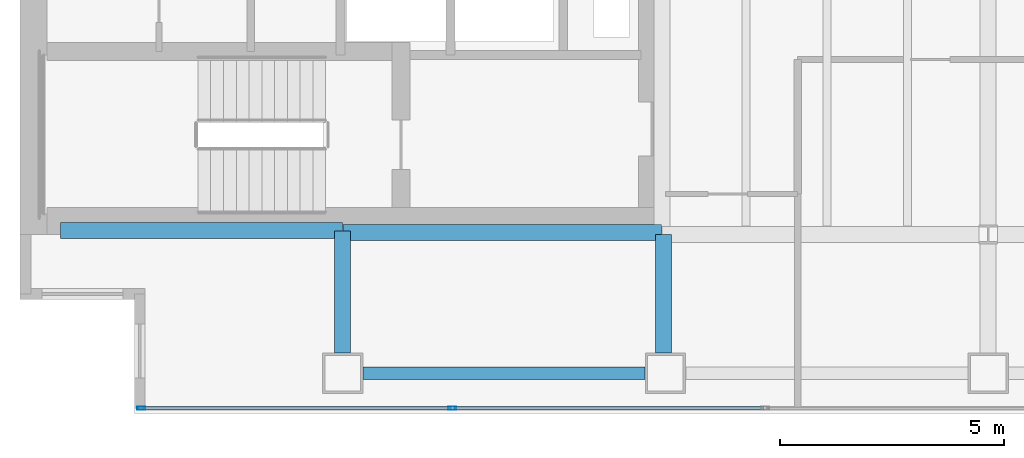
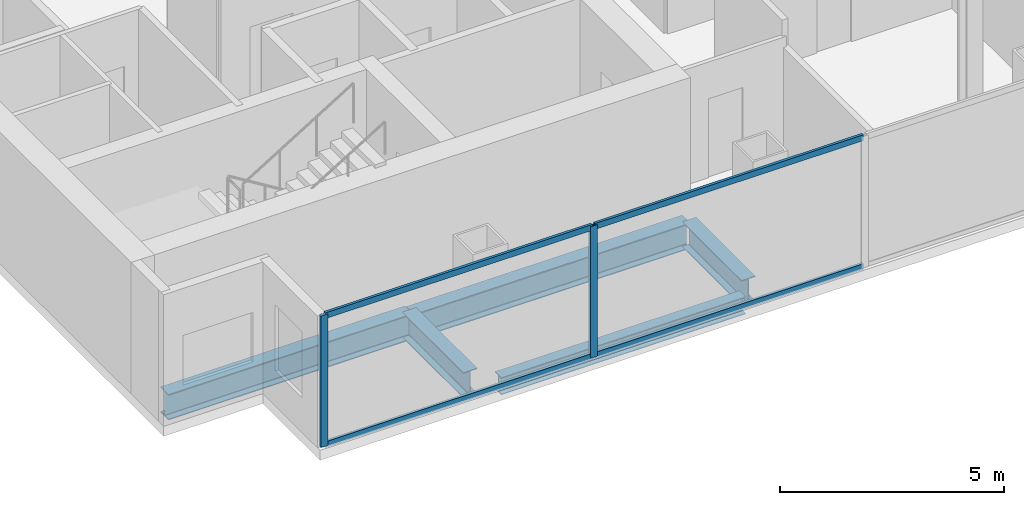
# One storey, part 2 of 24: 6 members, 5 beams, 1 element without a shape of its own.
"""IFC4 building model written with IfcOpenShell, lengths in metres."""

from ifc_helpers import new_model, si_unit, direction, frame, origin, origin_2d, place, context, subcontext, project, spatial, hollow_rectangle, i_section, extrude, material, material_profile, profile_set, type_object, element, aggregate, save


model = new_model("IFC4")

# Units and contexts
model_context = context("Model", 3, precision=1e-05, world=origin(), true_north=direction((0.0, 1.0)))
body_context = subcontext(model_context, "Body", "Model", "MODEL_VIEW")
ifc_project = project(units=[si_unit("LENGTHUNIT", "METRE"), si_unit("AREAUNIT", "SQUARE_METRE"), si_unit("VOLUMEUNIT", "CUBIC_METRE"), si_unit("PLANEANGLEUNIT", "RADIAN"), si_unit("MASSUNIT", "GRAM", prefix="KILO")], contexts=[model_context])

# Site, building, storey
site_placement = place(None, origin())
site = spatial("IfcSite", under=ifc_project, at=site_placement, CompositionType="ELEMENT")
building_placement = place(site_placement, origin())
building = spatial("IfcBuilding", under=site, at=building_placement, Name="Cobrela Telecom Tower", CompositionType="ELEMENT")
storey_placement = place(building_placement, frame((0.0, 0.0, 136.85009765625)))
storey = spatial("IfcBuildingStorey", under=building, at=storey_placement, Name="L34", CompositionType="ELEMENT", Elevation=136.85009765625)

# Beams
ifc_material_1 = material(Name="Steel ASTM A992 Grade 50", Category="steel")
ifc_material_profile_1 = material_profile(ifc_material_1, i_section(OverallWidth=0.35595703125, OverallDepth=0.696044921875, WebThickness=0.015380859375, FlangeThickness=0.024658203125, FilletRadius=0.01806640625, at=origin_2d()), Name="W27X146")
ifc_profile_set_1 = profile_set([ifc_material_profile_1], Name="Steel ASTM A992 Grade 50")
beam_type_1 = type_object("IfcBeamType", Name="BM-GIRD-05", PredefinedType="USERDEFINED", material=ifc_profile_set_1)
beam_1_placement = place(storey_placement, frame((0.905029296875, 7.280029296875, -0.6181640625), z_axis=(1.0, 0.0, 0.0), x_axis=(0.0, 1.0, 0.0)))
element("IfcBeam", 1, at=beam_1_placement, inside=storey, type_object=beam_type_1, Name="L34 Primary Girder X06", ObjectType="GIRDER", PredefinedType="USERDEFINED", context=body_context, shape_type="SweptSolid", body=[
    extrude(i_section(OverallWidth=0.35595703125, OverallDepth=0.696044921875, WebThickness=0.015380859375, FlangeThickness=0.024658203125, FilletRadius=0.01806640625, at=origin_2d()), origin(), (0.0, 0.0, 1.0), 6.2900390625),
])
beam_2_placement = place(storey_placement, frame((7.205078125, 7.239990234375, -0.6181640625), z_axis=(1.0, 0.0, 0.0), x_axis=(0.0, 1.0, 0.0)))
element("IfcBeam", 2, at=beam_2_placement, inside=storey, type_object=beam_type_1, Name="L34 Primary Girder X07", ObjectType="GIRDER", PredefinedType="USERDEFINED", context=body_context, shape_type="SweptSolid", body=[
    extrude(i_section(OverallWidth=0.35595703125, OverallDepth=0.696044921875, WebThickness=0.015380859375, FlangeThickness=0.024658203125, FilletRadius=0.01806640625, at=origin_2d()), origin(), (0.0, 0.0, 1.0), 7.10986328125),
])
beam_3_placement = place(storey_placement, frame((7.199951171875, 4.554931640625, -0.6181640625), z_axis=(0.0, 1.0, 0.0), x_axis=(-1.0, 0.0, 0.0)))
element("IfcBeam", 3, at=beam_3_placement, inside=storey, type_object=beam_type_1, Name="L34 Primary Girder Y31", ObjectType="GIRDER", PredefinedType="USERDEFINED", context=body_context, shape_type="SweptSolid", body=[
    extrude(i_section(OverallWidth=0.35595703125, OverallDepth=0.696044921875, WebThickness=0.015380859375, FlangeThickness=0.024658203125, FilletRadius=0.01806640625, at=origin_2d()), origin(), (0.0, 0.0, 1.0), 2.719970703125),
])
beam_4_placement = place(storey_placement, frame((14.360107421875, 4.554931640625, -0.6181640625), z_axis=(0.0, 1.0, 0.0), x_axis=(-1.0, 0.0, 0.0)))
element("IfcBeam", 4, at=beam_4_placement, inside=storey, type_object=beam_type_1, Name="L34 Primary Girder Y33", ObjectType="GIRDER", PredefinedType="USERDEFINED", context=body_context, shape_type="SweptSolid", body=[
    extrude(i_section(OverallWidth=0.35595703125, OverallDepth=0.696044921875, WebThickness=0.015380859375, FlangeThickness=0.024658203125, FilletRadius=0.01806640625, at=origin_2d()), origin(), (0.0, 0.0, 1.0), 2.64013671875),
])
ifc_material_profile_2 = material_profile(ifc_material_1, i_section(OverallWidth=0.281982421875, OverallDepth=0.467041015625, WebThickness=0.01220703125, FlangeThickness=0.01953125, FilletRadius=0.012939453125, at=origin_2d()), Name="W18X86")
ifc_profile_set_2 = profile_set([ifc_material_profile_2], Name="Steel ASTM A992 Grade 50")
beam_type_2 = type_object("IfcBeamType", Name="BM-SPAND-04", PredefinedType="SPANDREL", material=ifc_profile_set_2)
beam_5_placement = place(storey_placement, frame((7.655029296875, 4.10009765625, -0.503662109375), z_axis=(1.0, 0.0, 0.0), x_axis=(0.0, 1.0, 0.0)))
element("IfcBeam", 5, at=beam_5_placement, inside=storey, type_object=beam_type_2, Name="L34 Perimeter Spandrel X01", PredefinedType="SPANDREL", context=body_context, shape_type="SweptSolid", body=[
    extrude(i_section(OverallWidth=0.281982421875, OverallDepth=0.467041015625, WebThickness=0.01220703125, FlangeThickness=0.01953125, FilletRadius=0.012939453125, at=origin_2d()), origin(), (0.0, 0.0, 1.0), 6.2900390625),
])

# Curtain wall, members
ifc_material_2 = material(Name="Anodized Bronze Aluminium 6063-T6", Category="aluminium")
curtain_wall_type = type_object("IfcCurtainWallType", Name="CW-SYS-TEL", PredefinedType="USERDEFINED", material=ifc_material_2)
curtain_wall_placement = place(storey_placement, origin())
curtain_wall = element("IfcCurtainWall", 6, at=curtain_wall_placement, inside=storey, type_object=curtain_wall_type, Name="L34 Unitised Bronze Curtain Wall 17", ObjectType="UNITISED CURTAIN WALL", PredefinedType="USERDEFINED")
ifc_material_profile_3 = material_profile(ifc_material_2, hollow_rectangle(XDim=0.074951171875, YDim=0.179931640625, WallThickness=0.00390625, at=origin_2d()), Name="ALU 75x180x4")
ifc_profile_set_3 = profile_set([ifc_material_profile_3], Name="Anodized Bronze Aluminium 6063-T6")
member_type_1 = type_object("IfcMemberType", Name="CW-SYS-TEL-MUL", PredefinedType="MULLION", material=ifc_profile_set_3)
member_1_placement = place(storey_placement, frame((9.646728515625, 3.320068359375, 0.0), z_axis=(0.0, 0.0, 1.0), x_axis=(0.0, -1.0, 0.0)))
member_1 = element("IfcMember", 7, at=member_1_placement, type_object=member_type_1, Name="CW-TEL mullion 6", PredefinedType="MULLION", context=body_context, shape_type="SweptSolid", body=[
    extrude(hollow_rectangle(XDim=0.074951171875, YDim=0.179931640625, WallThickness=0.00390625, at=origin_2d()), origin(), (0.0, 0.0, 1.0), 3.579833984375),
])
member_2_placement = place(storey_placement, frame((2.70751953125, 3.320068359375, 0.0), z_axis=(0.0, 0.0, 1.0), x_axis=(0.0, -1.0, 0.0)))
member_2 = element("IfcMember", 8, at=member_2_placement, type_object=member_type_1, Name="CW-TEL mullion 7", PredefinedType="MULLION", context=body_context, shape_type="SweptSolid", body=[
    extrude(hollow_rectangle(XDim=0.074951171875, YDim=0.179931640625, WallThickness=0.00390625, at=origin_2d()), origin(), (0.0, 0.0, 1.0), 3.579833984375),
])
ifc_material_profile_4 = material_profile(ifc_material_2, hollow_rectangle(XDim=0.070068359375, YDim=0.159912109375, WallThickness=0.00390625, at=origin_2d()), Name="ALU 70x160x4")
ifc_profile_set_4 = profile_set([ifc_material_profile_4], Name="Anodized Bronze Aluminium 6063-T6")
member_type_2 = type_object("IfcMemberType", Name="CW-SYS-TEL-TRN", PredefinedType="USERDEFINED", material=ifc_profile_set_4)
member_3_placement = place(storey_placement, frame((16.5859375, 3.320068359375, 0.034912109375), z_axis=(-1.0, 0.0, 0.0), x_axis=(0.0, -1.0, 0.0)))
member_3 = element("IfcMember", 9, at=member_3_placement, type_object=member_type_2, Name="CW-TEL transom 5.1", ObjectType="TRANSOM", PredefinedType="USERDEFINED", context=body_context, shape_type="SweptSolid", body=[
    extrude(hollow_rectangle(XDim=0.070068359375, YDim=0.159912109375, WallThickness=0.00390625, at=origin_2d()), origin(), (0.0, 0.0, 1.0), 6.90185546875),
])
member_4_placement = place(storey_placement, frame((16.5859375, 3.320068359375, 3.544921875), z_axis=(-1.0, 0.0, 0.0), x_axis=(0.0, -1.0, 0.0)))
member_4 = element("IfcMember", 10, at=member_4_placement, type_object=member_type_2, Name="CW-TEL transom 5.2", ObjectType="TRANSOM", PredefinedType="USERDEFINED", context=body_context, shape_type="SweptSolid", body=[
    extrude(hollow_rectangle(XDim=0.070068359375, YDim=0.159912109375, WallThickness=0.00390625, at=origin_2d()), origin(), (0.0, 0.0, 1.0), 6.90185546875),
])
member_5_placement = place(storey_placement, frame((9.609130859375, 3.320068359375, 0.034912109375), z_axis=(-1.0, 0.0, 0.0), x_axis=(0.0, -1.0, 0.0)))
member_5 = element("IfcMember", 11, at=member_5_placement, type_object=member_type_2, Name="CW-TEL transom 6.1", ObjectType="TRANSOM", PredefinedType="USERDEFINED", context=body_context, shape_type="SweptSolid", body=[
    extrude(hollow_rectangle(XDim=0.070068359375, YDim=0.159912109375, WallThickness=0.00390625, at=origin_2d()), origin(), (0.0, 0.0, 1.0), 6.864013671875),
])
member_6_placement = place(storey_placement, frame((9.609130859375, 3.320068359375, 3.544921875), z_axis=(-1.0, 0.0, 0.0), x_axis=(0.0, -1.0, 0.0)))
member_6 = element("IfcMember", 12, at=member_6_placement, type_object=member_type_2, Name="CW-TEL transom 6.2", ObjectType="TRANSOM", PredefinedType="USERDEFINED", context=body_context, shape_type="SweptSolid", body=[
    extrude(hollow_rectangle(XDim=0.070068359375, YDim=0.159912109375, WallThickness=0.00390625, at=origin_2d()), origin(), (0.0, 0.0, 1.0), 6.864013671875),
])
aggregate(curtain_wall, [member_1, member_2, member_3, member_4, member_5, member_6])

save(model, "model.ifc")
